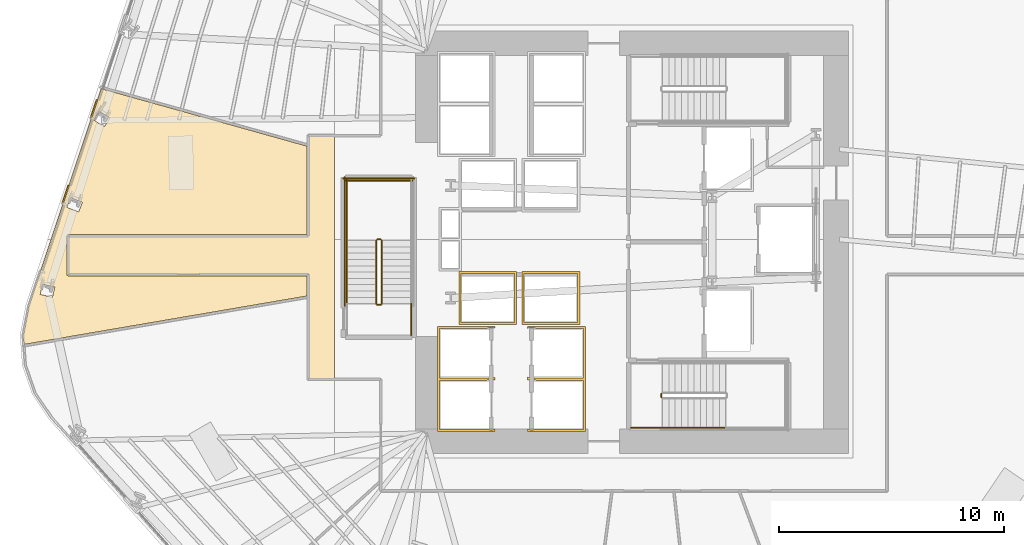
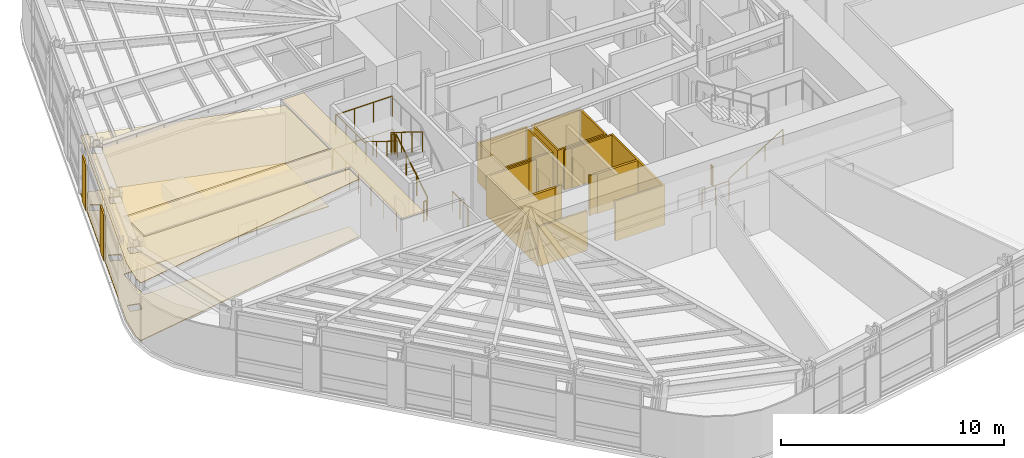
# One storey, part 12 of 17: 13 railings, 9 coverings.
"""IFC4 building model written with IfcOpenShell, lengths in metres."""

from ifc_helpers import new_model, si_unit, direction, frame, origin, origin_2d, place, context, subcontext, project, spatial, polyline, circle, outline, extrude, material, layer, layer_set, type_object, element, save


model = new_model("IFC4")

# Units and contexts
model_context = context("Model", 3, precision=1e-05, world=origin(), true_north=direction((0.0, 1.0)))
body_context = subcontext(model_context, "Body", "Model", "MODEL_VIEW")
ifc_project = project(units=[si_unit("LENGTHUNIT", "METRE"), si_unit("AREAUNIT", "SQUARE_METRE"), si_unit("VOLUMEUNIT", "CUBIC_METRE"), si_unit("PLANEANGLEUNIT", "RADIAN"), si_unit("MASSUNIT", "GRAM", prefix="KILO")], contexts=[model_context])

# Site, building, storey
site_placement = place(None, origin())
site = spatial("IfcSite", under=ifc_project, at=site_placement, CompositionType="ELEMENT")
building_placement = place(site_placement, origin())
building = spatial("IfcBuilding", under=site, at=building_placement, Name="Valkerne Bourse Tower", CompositionType="ELEMENT")
storey_placement = place(building_placement, frame((0.0, 0.0, 73.39990234375)))
storey = spatial("IfcBuildingStorey", under=building, at=storey_placement, Name="L18", CompositionType="ELEMENT", Elevation=73.39990234375)

# Coverings
ifc_material_1 = material(Name="Mineral Fiber Acoustic Ceiling Tile", Category="acoustic")
ifc_layer_1 = layer(ifc_material_1, 0.02490234375)
ifc_layer_set_1 = layer_set([ifc_layer_1], Name="Mineral Fiber Acoustic Ceiling Tile")
covering_type_1 = type_object("IfcCoveringType", Name="COV-CEIL-ACT", PredefinedType="CEILING", material=ifc_layer_set_1)
covering_1_placement = place(storey_placement, frame((0.0, 0.0, 3.170166015625)))
element("IfcCovering", 1, at=covering_1_placement, inside=storey, type_object=covering_type_1, Name="L18 Suspended Ceiling 05", PredefinedType="CEILING", context=body_context, shape_type="SweptSolid", body=[
    extrude(outline(polyline([(23.24609375, 33.68603515625), (32.381103515625, 31.13427734375), (32.381103515625, 27.218994140625), (21.799560546875, 27.218994140625), (21.77099609375, 27.212646484375), (21.748779296875, 27.196533203125), (21.73095703125, 27.15087890625), (21.731201171875, 25.446533203125), (21.744873046875, 25.408203125), (21.783447265625, 25.3828125), (32.381103515625, 25.381103515625), (32.381103515625, 24.489501953125), (19.830078125, 22.341796875), (19.800537109375, 22.74462890625), (20.049560546875, 24.05029296875), (23.24609375, 33.68603515625)]), holes=[polyline([(21.19921875, 24.873779296875), (21.19873046875, 24.87744140625), (20.65771484375, 25.007080078125), (20.55029296875, 24.564697265625), (20.550537109375, 24.56103515625), (21.091552734375, 24.431396484375), (21.19921875, 24.873779296875)]), polyline([(22.42333984375, 28.6376953125), (21.90771484375, 28.846435546875), (21.735595703125, 28.4248046875), (21.735107421875, 28.421142578125), (22.2509765625, 28.21240234375), (22.423095703125, 28.634033203125), (22.42333984375, 28.6376953125)]), polyline([(23.639892578125, 32.38720703125), (23.640869140625, 32.390625), (23.16552734375, 32.679931640625), (22.927490234375, 32.29150390625), (22.9267578125, 32.2880859375), (23.402099609375, 31.998779296875), (23.639892578125, 32.38720703125)])]), origin(), (0.0, 0.0, 1.0), 0.02490234375),
])
ifc_material_2 = material(Name="Bronze Anodised Aluminium AA 6063-T6", Category="aluminium")
ifc_layer_2 = layer(ifc_material_2, 0.030029296875)
ifc_layer_set_2 = layer_set([ifc_layer_2], Name="Bronze Anodised Aluminium AA 6063-T6")
covering_type_2 = type_object("IfcCoveringType", Name="COV-CEIL-METAL", PredefinedType="CEILING", material=ifc_layer_set_2)
covering_2_placement = place(storey_placement, frame((0.0, 0.0, 3.170166015625)))
element("IfcCovering", 2, at=covering_2_placement, inside=storey, type_object=covering_type_2, Name="L18 Suspended Ceiling 02", PredefinedType="CEILING", context=body_context, shape_type="SweptSolid", body=[
    extrude(outline(polyline([(32.4541015625, 20.803955078125), (32.4541015625, 25.4541015625), (21.803955078125, 25.4541015625), (21.803955078125, 27.14599609375), (32.4541015625, 27.14599609375), (32.4541015625, 31.595947265625), (33.60009765625, 31.595947265625), (33.60009765625, 20.803955078125), (32.4541015625, 20.803955078125)])), origin(), (0.0, 0.0, 1.0), 0.02490234375),
])
ifc_layer_3 = layer(ifc_material_2, 0.06005859375)
ifc_layer_set_3 = layer_set([ifc_layer_3], Name="Bronze Anodised Aluminium AA 6063-T6")
covering_type_3 = type_object("IfcCoveringType", Name="COV-CRN-ALUM", PredefinedType="CLADDING", material=ifc_layer_set_3)
covering_3_placement = place(storey_placement, origin())
element("IfcCovering", 3, at=covering_3_placement, inside=storey, type_object=covering_type_3, Name="L18 Wind-Shaped Corner Aluminium Cladding 17", PredefinedType="CLADDING", context=body_context, shape_type="SweptSolid", body=[
    extrude(outline(polyline([(21.779296875, 29.40380859375), (21.85498046875, 29.37890625), (21.590576171875, 28.58154296875), (21.5146484375, 28.606689453125), (21.779296875, 29.40380859375)])), origin(), (0.0, 0.0, 1.0), 2.5),
])
covering_4_placement = place(storey_placement, origin())
element("IfcCovering", 4, at=covering_4_placement, inside=storey, type_object=covering_type_3, Name="L18 Wind-Shaped Corner Aluminium Cladding 18", PredefinedType="CLADDING", context=body_context, shape_type="SweptSolid", body=[
    extrude(outline(polyline([(23.037353515625, 33.19677734375), (23.11328125, 33.171630859375), (22.848876953125, 32.374267578125), (22.772705078125, 32.3994140625), (23.037353515625, 33.19677734375)])), origin(), (0.0, 0.0, 1.0), 2.5),
])
ifc_material_3 = material(Name="Galvanised Painted Steel", Category="steel")
ifc_layer_4 = layer(ifc_material_3, 0.044921875)
ifc_layer_set_4 = layer_set([ifc_layer_4], Name="Galvanised Painted Steel")
covering_type_4 = type_object("IfcCoveringType", Name="COV-FLR-RAF", PredefinedType="FLOORING", material=ifc_layer_set_4)
covering_5_placement = place(storey_placement, origin())
element("IfcCovering", 5, at=covering_5_placement, inside=storey, type_object=covering_type_4, Name="L18 Floor Finish 05", PredefinedType="FLOORING", context=body_context, shape_type="SweptSolid", body=[
    extrude(outline(polyline([(23.24609375, 33.68603515625), (32.381103515625, 31.13427734375), (32.381103515625, 27.218994140625), (21.799560546875, 27.218994140625), (21.77099609375, 27.212646484375), (21.748779296875, 27.196533203125), (21.73095703125, 27.15087890625), (21.731201171875, 25.446533203125), (21.744873046875, 25.408203125), (21.783447265625, 25.3828125), (32.381103515625, 25.381103515625), (32.381103515625, 24.489501953125), (19.830078125, 22.341796875), (19.800537109375, 22.74462890625), (20.049560546875, 24.05029296875), (23.24609375, 33.68603515625)]), holes=[polyline([(21.19921875, 24.873779296875), (21.19873046875, 24.87744140625), (20.65771484375, 25.007080078125), (20.55029296875, 24.564697265625), (20.550537109375, 24.56103515625), (21.091552734375, 24.431396484375), (21.19921875, 24.873779296875)]), polyline([(22.42333984375, 28.6376953125), (21.90771484375, 28.846435546875), (21.735595703125, 28.4248046875), (21.735107421875, 28.421142578125), (22.2509765625, 28.21240234375), (22.423095703125, 28.634033203125), (22.42333984375, 28.6376953125)]), polyline([(23.639892578125, 32.38720703125), (23.640869140625, 32.390625), (23.16552734375, 32.679931640625), (22.927490234375, 32.29150390625), (22.9267578125, 32.2880859375), (23.402099609375, 31.998779296875), (23.639892578125, 32.38720703125)])]), origin(), (0.0, 0.0, 1.0), 0.045166015625),
])
ifc_material_4 = material(Name="Gypsum Shaftwall Liner Board", Category="gypsum")
ifc_layer_5 = layer(ifc_material_4, 0.080078125)
ifc_layer_set_5 = layer_set([ifc_layer_5], Name="Gypsum Shaftwall Liner Board")
covering_type_5 = type_object("IfcCoveringType", Name="COV-SHF-CLAD", PredefinedType="CLADDING", material=ifc_layer_set_5)
covering_6_placement = place(storey_placement, origin())
element("IfcCovering", 6, at=covering_6_placement, inside=storey, type_object=covering_type_5, Name="L18 Hoistway & Riser Shaftwall Liner 01", PredefinedType="CLADDING", context=body_context, shape_type="SweptSolid", body=[
    extrude(outline(polyline([(38.169921875, 23.1298828125), (40.72998046875, 23.1298828125), (40.72998046875, 23.052001953125), (40.72216796875, 23.0556640625), (40.6806640625, 23.070556640625), (40.6376953125, 23.081298828125), (40.593994140625, 23.087890625), (40.550048828125, 23.090087890625), (40.505859375, 23.087890625), (40.462158203125, 23.081298828125), (40.41943359375, 23.070556640625), (40.377685546875, 23.0556640625), (40.344482421875, 23.0400390625), (38.260009765625, 23.0400390625), (38.260009765625, 20.860107421875), (40.456787109375, 20.860107421875), (40.462158203125, 20.858642578125), (40.505859375, 20.852294921875), (40.550048828125, 20.85009765625), (40.593994140625, 20.852294921875), (40.6376953125, 20.858642578125), (40.6806640625, 20.869384765625), (40.72216796875, 20.88427734375), (40.72998046875, 20.887939453125), (40.72998046875, 20.830078125), (40.72998046875, 20.77001953125), (40.72998046875, 20.752197265625), (40.72216796875, 20.755615234375), (40.6806640625, 20.7705078125), (40.6376953125, 20.781494140625), (40.593994140625, 20.787841796875), (40.550048828125, 20.7900390625), (40.505859375, 20.787841796875), (40.462158203125, 20.781494140625), (40.41943359375, 20.7705078125), (40.377685546875, 20.755615234375), (40.344482421875, 20.739990234375), (38.260009765625, 20.739990234375), (38.260009765625, 18.56005859375), (40.456787109375, 18.56005859375), (40.462158203125, 18.55859375), (40.505859375, 18.55224609375), (40.550048828125, 18.550048828125), (40.593994140625, 18.55224609375), (40.6376953125, 18.55859375), (40.6806640625, 18.5693359375), (40.72216796875, 18.584228515625), (40.72998046875, 18.587890625), (40.72998046875, 18.469970703125), (38.169921875, 18.469970703125), (38.169921875, 20.77001953125), (38.169921875, 20.830078125), (38.169921875, 23.1298828125)])), origin(), (0.0, 0.0, 1.0), 2.18017578125),
])
covering_7_placement = place(storey_placement, origin())
element("IfcCovering", 7, at=covering_7_placement, inside=storey, type_object=covering_type_5, Name="L18 Hoistway & Riser Shaftwall Liner 02", PredefinedType="CLADDING", context=body_context, shape_type="SweptSolid", body=[
    extrude(outline(polyline([(41.679931640625, 23.219970703125), (39.1201171875, 23.219970703125), (39.1201171875, 25.580078125), (41.679931640625, 25.580078125), (41.679931640625, 23.219970703125)]), holes=[polyline([(39.2099609375, 25.489990234375), (39.2099609375, 23.31005859375), (41.590087890625, 23.31005859375), (41.590087890625, 25.489990234375), (39.2099609375, 25.489990234375)])]), origin(), (0.0, 0.0, 1.0), 2.18017578125),
])
covering_8_placement = place(storey_placement, origin())
element("IfcCovering", 8, at=covering_8_placement, inside=storey, type_object=covering_type_5, Name="L18 Hoistway & Riser Shaftwall Liner 03", PredefinedType="CLADDING", context=body_context, shape_type="SweptSolid", body=[
    extrude(outline(polyline([(44.47998046875, 23.219970703125), (41.919921875, 23.219970703125), (41.919921875, 25.580078125), (44.47998046875, 25.580078125), (44.47998046875, 23.219970703125)]), holes=[polyline([(42.010009765625, 25.489990234375), (42.010009765625, 23.31005859375), (44.389892578125, 23.31005859375), (44.389892578125, 25.489990234375), (42.010009765625, 25.489990234375)])]), origin(), (0.0, 0.0, 1.0), 2.18017578125),
])
covering_9_placement = place(storey_placement, origin())
element("IfcCovering", 9, at=covering_9_placement, inside=storey, type_object=covering_type_5, Name="L18 Hoistway & Riser Shaftwall Liner 06", PredefinedType="CLADDING", context=body_context, shape_type="SweptSolid", body=[
    extrude(outline(polyline([(42.169921875, 20.830078125), (42.169921875, 20.887939453125), (42.177734375, 20.88427734375), (42.219482421875, 20.869384765625), (42.26220703125, 20.858642578125), (42.305908203125, 20.852294921875), (42.35009765625, 20.85009765625), (42.39404296875, 20.852294921875), (42.437744140625, 20.858642578125), (42.443115234375, 20.860107421875), (44.639892578125, 20.860107421875), (44.639892578125, 23.0400390625), (42.555419921875, 23.0400390625), (42.522216796875, 23.0556640625), (42.480712890625, 23.070556640625), (42.437744140625, 23.081298828125), (42.39404296875, 23.087890625), (42.35009765625, 23.090087890625), (42.305908203125, 23.087890625), (42.26220703125, 23.081298828125), (42.219482421875, 23.070556640625), (42.177734375, 23.0556640625), (42.169921875, 23.052001953125), (42.169921875, 23.1298828125), (44.72998046875, 23.1298828125), (44.72998046875, 20.830078125), (44.72998046875, 20.77001953125), (44.72998046875, 18.469970703125), (42.169921875, 18.469970703125), (42.169921875, 18.587890625), (42.177734375, 18.584228515625), (42.219482421875, 18.5693359375), (42.26220703125, 18.55859375), (42.305908203125, 18.55224609375), (42.35009765625, 18.550048828125), (42.39404296875, 18.55224609375), (42.437744140625, 18.55859375), (42.443115234375, 18.56005859375), (44.639892578125, 18.56005859375), (44.639892578125, 20.739990234375), (42.555419921875, 20.739990234375), (42.522216796875, 20.755615234375), (42.480712890625, 20.7705078125), (42.437744140625, 20.781494140625), (42.39404296875, 20.787841796875), (42.35009765625, 20.7900390625), (42.305908203125, 20.787841796875), (42.26220703125, 20.781494140625), (42.219482421875, 20.7705078125), (42.177734375, 20.755615234375), (42.169921875, 20.752197265625), (42.169921875, 20.77001953125), (42.169921875, 20.830078125)])), origin(), (0.0, 0.0, 1.0), 2.18017578125),
])

# Railings
railing_type_1 = type_object("IfcRailingType", Name="RLG-ST-GUARD-1120", PredefinedType="GUARDRAIL", material=ifc_material_3)
railing_1_placement = place(storey_placement, frame((48.10009765625, 20.0, 0.0)))
element("IfcRailing", 10, at=railing_1_placement, inside=storey, type_object=railing_type_1, Name="L18 ST-1 stair guard 7", PredefinedType="GUARDRAIL", context=body_context, shape_type="SweptSolid", body=[
    extrude(circle(Radius=0.02392578125, at=origin_2d()), frame((0.0, 0.0, 1.09619140625), z_axis=(0.0, 1.0, 0.0), x_axis=(-1.0, 0.0, 0.0)), (0.0, 0.0, 1.0), 0.14990234375),
    extrude(circle(Radius=0.02099609375, at=origin_2d()), origin(), (0.0, 0.0, 1.0), 1.072021484375),
    extrude(circle(Radius=0.02099609375, at=origin_2d()), frame((0.0, 0.14990234375, 0.0)), (0.0, 0.0, 1.0), 1.072021484375),
])
railing_2_placement = place(storey_placement, frame((46.75, 18.64990234375, 0.0)))
element("IfcRailing", 11, at=railing_2_placement, inside=storey, type_object=railing_type_1, Name="L18 ST-1 stair guard 8", PredefinedType="GUARDRAIL", context=body_context, shape_type="SweptSolid", body=[
    extrude(circle(Radius=0.02392578125, at=origin_2d()), frame((0.0, 0.0, 1.09619140625), z_axis=(1.0, 0.0, 0.0), x_axis=(0.0, 1.0, 0.0)), (0.0, 0.0, 1.0), 1.39990234375),
    extrude(circle(Radius=0.02099609375, at=origin_2d()), origin(), (0.0, 0.0, 1.0), 1.072021484375),
    extrude(circle(Radius=0.02099609375, at=origin_2d()), frame((0.699951171875, 0.0, 0.0)), (0.0, 0.0, 1.0), 1.072021484375),
    extrude(circle(Radius=0.02099609375, at=origin_2d()), frame((1.39990234375, 0.0, 0.0)), (0.0, 0.0, 1.0), 1.072021484375),
])
railing_3_placement = place(storey_placement, frame((35.699951171875, 24.14990234375, 0.1728515625)))
element("IfcRailing", 12, at=railing_3_placement, inside=storey, type_object=railing_type_1, Name="L18 ST-3 stair guard 1", PredefinedType="GUARDRAIL", context=body_context, shape_type="SweptSolid", body=[
    extrude(circle(Radius=0.02392578125, at=origin_2d()), frame((0.0, 0.0, 1.09619140625), z_axis=(0.0, 0.851089632645, 0.525020415988), x_axis=(-1.0, 0.0, 0.0)), (0.0, 0.0, 1.0), 3.2900390625),
    extrude(circle(Radius=0.02099609375, at=origin_2d()), origin(), (0.0, 0.0, 1.0), 1.072021484375),
    extrude(circle(Radius=0.02099609375, at=origin_2d()), frame((0.0, 0.933349609375, 0.57568359375)), (0.0, 0.0, 1.0), 1.072021484375),
    extrude(circle(Radius=0.02099609375, at=origin_2d()), frame((0.0, 1.86669921875, 1.151611328125)), (0.0, 0.0, 1.0), 1.072021484375),
    extrude(circle(Radius=0.02099609375, at=origin_2d()), frame((0.0, 2.800048828125, 1.727294921875)), (0.0, 0.0, 1.0), 1.072021484375),
])
railing_4_placement = place(storey_placement, frame((35.64990234375, 27.0, 1.900146484375)))
element("IfcRailing", 13, at=railing_4_placement, inside=storey, type_object=railing_type_1, Name="L18 ST-3 stair guard 2", PredefinedType="GUARDRAIL", context=body_context, shape_type="SweptSolid", body=[
    extrude(circle(Radius=0.02392578125, at=origin_2d()), frame((0.0, 0.0, 1.09619140625), z_axis=(-1.0, 0.0, 0.0), x_axis=(0.0, -1.0, 0.0)), (0.0, 0.0, 1.0), 0.14990234375),
    extrude(circle(Radius=0.02099609375, at=origin_2d()), origin(), (0.0, 0.0, 1.0), 1.072021484375),
    extrude(circle(Radius=0.02099609375, at=origin_2d()), frame((-0.14990234375, 0.0, 0.0)), (0.0, 0.0, 1.0), 1.072021484375),
])
railing_5_placement = place(storey_placement, frame((34.14990234375, 26.949951171875, 1.900146484375)))
element("IfcRailing", 14, at=railing_5_placement, inside=storey, type_object=railing_type_1, Name="L18 ST-3 stair guard 4", PredefinedType="GUARDRAIL", context=body_context, shape_type="SweptSolid", body=[
    extrude(circle(Radius=0.02392578125, at=origin_2d()), frame((0.0, 0.0, 1.09619140625), z_axis=(0.0, 1.0, 0.0), x_axis=(-1.0, 0.0, 0.0)), (0.0, 0.0, 1.0), 2.699951171875),
    extrude(circle(Radius=0.02099609375, at=origin_2d()), origin(), (0.0, 0.0, 1.0), 1.072021484375),
    extrude(circle(Radius=0.02099609375, at=origin_2d()), frame((0.0, 0.89990234375, 0.0)), (0.0, 0.0, 1.0), 1.072021484375),
    extrude(circle(Radius=0.02099609375, at=origin_2d()), frame((0.0, 1.800048828125, 0.0)), (0.0, 0.0, 1.0), 1.072021484375),
    extrude(circle(Radius=0.02099609375, at=origin_2d()), frame((0.0, 2.699951171875, 0.0)), (0.0, 0.0, 1.0), 1.072021484375),
])
railing_6_placement = place(storey_placement, frame((37.050048828125, 29.60009765625, 1.900146484375)))
element("IfcRailing", 15, at=railing_6_placement, inside=storey, type_object=railing_type_1, Name="L18 ST-3 stair guard 5", PredefinedType="GUARDRAIL", context=body_context, shape_type="SweptSolid", body=[
    extrude(circle(Radius=0.02392578125, at=origin_2d()), frame((0.0, 0.0, 1.09619140625), z_axis=(-1.0, 0.0, 0.0), x_axis=(0.0, -1.0, 0.0)), (0.0, 0.0, 1.0), 2.949951171875),
    extrude(circle(Radius=0.02099609375, at=origin_2d()), origin(), (0.0, 0.0, 1.0), 1.072021484375),
    extrude(circle(Radius=0.02099609375, at=origin_2d()), frame((-0.9833984375, 0.0, 0.0)), (0.0, 0.0, 1.0), 1.072021484375),
    extrude(circle(Radius=0.02099609375, at=origin_2d()), frame((-1.966552734375, 0.0, 0.0)), (0.0, 0.0, 1.0), 1.072021484375),
    extrude(circle(Radius=0.02099609375, at=origin_2d()), frame((-2.949951171875, 0.0, 0.0)), (0.0, 0.0, 1.0), 1.072021484375),
])
railing_7_placement = place(storey_placement, frame((35.449951171875, 26.949951171875, 2.07275390625)))
element("IfcRailing", 16, at=railing_7_placement, inside=storey, type_object=railing_type_1, Name="L18 ST-3 stair guard 6", PredefinedType="GUARDRAIL", context=body_context, shape_type="SweptSolid", body=[
    extrude(circle(Radius=0.02392578125, at=origin_2d()), frame((0.0, 0.0, 1.09619140625), z_axis=(0.0, -0.851089632645, 0.525020415988), x_axis=(1.0, 0.0, 0.0)), (0.0, 0.0, 1.0), 3.2900390625),
    extrude(circle(Radius=0.02099609375, at=origin_2d()), origin(), (0.0, 0.0, 1.0), 1.072021484375),
    extrude(circle(Radius=0.02099609375, at=origin_2d()), frame((0.0, -0.933349609375, 0.57568359375)), (0.0, 0.0, 1.0), 1.072021484375),
    extrude(circle(Radius=0.02099609375, at=origin_2d()), frame((0.0, -1.86669921875, 1.151611328125)), (0.0, 0.0, 1.0), 1.072021484375),
    extrude(circle(Radius=0.02099609375, at=origin_2d()), frame((0.0, -2.800048828125, 1.727294921875)), (0.0, 0.0, 1.0), 1.072021484375),
])
railing_8_placement = place(storey_placement, frame((35.64990234375, 24.10009765625, 0.0)))
element("IfcRailing", 17, at=railing_8_placement, inside=storey, type_object=railing_type_1, Name="L18 ST-3 stair guard 7", PredefinedType="GUARDRAIL", context=body_context, shape_type="SweptSolid", body=[
    extrude(circle(Radius=0.02392578125, at=origin_2d()), frame((0.0, 0.0, 1.09619140625), z_axis=(-1.0, 0.0, 0.0), x_axis=(0.0, -1.0, 0.0)), (0.0, 0.0, 1.0), 0.14990234375),
    extrude(circle(Radius=0.02099609375, at=origin_2d()), origin(), (0.0, 0.0, 1.0), 1.072021484375),
    extrude(circle(Radius=0.02099609375, at=origin_2d()), frame((-0.14990234375, 0.0, 0.0)), (0.0, 0.0, 1.0), 1.072021484375),
])
railing_9_placement = place(storey_placement, frame((37.0, 22.75, 0.0)))
element("IfcRailing", 18, at=railing_9_placement, inside=storey, type_object=railing_type_1, Name="L18 ST-3 stair guard 8", PredefinedType="GUARDRAIL", context=body_context, shape_type="SweptSolid", body=[
    extrude(circle(Radius=0.02392578125, at=origin_2d()), frame((0.0, 0.0, 1.09619140625), z_axis=(0.0, 1.0, 0.0), x_axis=(-1.0, 0.0, 0.0)), (0.0, 0.0, 1.0), 1.39990234375),
    extrude(circle(Radius=0.02099609375, at=origin_2d()), origin(), (0.0, 0.0, 1.0), 1.072021484375),
    extrude(circle(Radius=0.02099609375, at=origin_2d()), frame((0.0, 0.699951171875, 0.0)), (0.0, 0.0, 1.0), 1.072021484375),
    extrude(circle(Radius=0.02099609375, at=origin_2d()), frame((0.0, 1.39990234375, 0.0)), (0.0, 0.0, 1.0), 1.072021484375),
])
railing_10_placement = place(storey_placement, frame((34.050048828125, 24.050048828125, 0.0)))
element("IfcRailing", 19, at=railing_10_placement, inside=storey, type_object=railing_type_1, Name="L18 ST-3 stair guard 11", PredefinedType="GUARDRAIL", context=body_context, shape_type="SweptSolid", body=[
    extrude(circle(Radius=0.02392578125, at=origin_2d()), frame((0.0, 0.0, 1.09619140625), z_axis=(0.0, 1.0, 0.0), x_axis=(-1.0, 0.0, 0.0)), (0.0, 0.0, 1.0), 5.699951171875),
    extrude(circle(Radius=0.02099609375, at=origin_2d()), origin(), (0.0, 0.0, 1.0), 1.072021484375),
    extrude(circle(Radius=0.02099609375, at=origin_2d()), frame((0.0, 1.139892578125, 0.0)), (0.0, 0.0, 1.0), 1.072021484375),
    extrude(circle(Radius=0.02099609375, at=origin_2d()), frame((0.0, 2.280029296875, 0.0)), (0.0, 0.0, 1.0), 1.072021484375),
    extrude(circle(Radius=0.02099609375, at=origin_2d()), frame((0.0, 3.419921875, 0.0)), (0.0, 0.0, 1.0), 1.072021484375),
    extrude(circle(Radius=0.02099609375, at=origin_2d()), frame((0.0, 4.56005859375, 0.0)), (0.0, 0.0, 1.0), 1.072021484375),
    extrude(circle(Radius=0.02099609375, at=origin_2d()), frame((0.0, 5.699951171875, 0.0)), (0.0, 0.0, 1.0), 1.072021484375),
])
railing_11_placement = place(storey_placement, frame((37.14990234375, 29.699951171875, 0.0)))
element("IfcRailing", 20, at=railing_11_placement, inside=storey, type_object=railing_type_1, Name="L18 ST-3 stair guard 12", PredefinedType="GUARDRAIL", context=body_context, shape_type="SweptSolid", body=[
    extrude(circle(Radius=0.02392578125, at=origin_2d()), frame((0.0, 0.0, 1.09619140625), z_axis=(-1.0, 0.0, 0.0), x_axis=(0.0, -1.0, 0.0)), (0.0, 0.0, 1.0), 3.14990234375),
    extrude(circle(Radius=0.02099609375, at=origin_2d()), origin(), (0.0, 0.0, 1.0), 1.072021484375),
    extrude(circle(Radius=0.02099609375, at=origin_2d()), frame((-1.050048828125, 0.0, 0.0)), (0.0, 0.0, 1.0), 1.072021484375),
    extrude(circle(Radius=0.02099609375, at=origin_2d()), frame((-2.099853515625, 0.0, 0.0)), (0.0, 0.0, 1.0), 1.072021484375),
    extrude(circle(Radius=0.02099609375, at=origin_2d()), frame((-3.14990234375, 0.0, 0.0)), (0.0, 0.0, 1.0), 1.072021484375),
])
ifc_material_5 = material(Name="Stainless Steel AISI 316", Category="steel")
railing_type_2 = type_object("IfcRailingType", Name="RLG-ST-HANDRAIL-900", PredefinedType="HANDRAIL", material=ifc_material_5)
railing_12_placement = place(storey_placement, frame((48.14990234375, 18.64990234375, 0.345458984375)))
element("IfcRailing", 21, at=railing_12_placement, inside=storey, type_object=railing_type_2, Name="L18 ST-1 stair handrail 1", PredefinedType="HANDRAIL", context=body_context, shape_type="SweptSolid", body=[
    extrude(circle(Radius=0.02392578125, at=origin_2d()), frame((0.0, 0.0, 0.8759765625), z_axis=(0.851089632645, 0.0, 0.525020415988), x_axis=(0.0, 1.0, 0.0)), (0.0, 0.0, 1.0), 3.2900390625),
    extrude(circle(Radius=0.02099609375, at=origin_2d()), origin(), (0.0, 0.0, 1.0), 0.851806640625),
    extrude(circle(Radius=0.02099609375, at=origin_2d()), frame((0.933349609375, 0.0, 0.57568359375)), (0.0, 0.0, 1.0), 0.851806640625),
    extrude(circle(Radius=0.02099609375, at=origin_2d()), frame((1.86669921875, 0.0, 1.151611328125)), (0.0, 0.0, 1.0), 0.851806640625),
    extrude(circle(Radius=0.02099609375, at=origin_2d()), frame((2.800048828125, 0.0, 1.727294921875)), (0.0, 0.0, 1.0), 0.851806640625),
])
railing_13_placement = place(storey_placement, frame((34.14990234375, 26.949951171875, 2.24560546875)))
element("IfcRailing", 22, at=railing_13_placement, inside=storey, type_object=railing_type_2, Name="L18 ST-3 stair handrail 2", PredefinedType="HANDRAIL", context=body_context, shape_type="SweptSolid", body=[
    extrude(circle(Radius=0.02392578125, at=origin_2d()), frame((0.0, 0.0, 0.8759765625), z_axis=(0.0, -0.851089632645, 0.525020415988), x_axis=(1.0, 0.0, 0.0)), (0.0, 0.0, 1.0), 3.2900390625),
    extrude(circle(Radius=0.02099609375, at=origin_2d()), origin(), (0.0, 0.0, 1.0), 0.851806640625),
    extrude(circle(Radius=0.02099609375, at=origin_2d()), frame((0.0, -0.933349609375, 0.57568359375)), (0.0, 0.0, 1.0), 0.851806640625),
    extrude(circle(Radius=0.02099609375, at=origin_2d()), frame((0.0, -1.86669921875, 1.151611328125)), (0.0, 0.0, 1.0), 0.851806640625),
    extrude(circle(Radius=0.02099609375, at=origin_2d()), frame((0.0, -2.800048828125, 1.727294921875)), (0.0, 0.0, 1.0), 0.851806640625),
])

save(model, "model.ifc")
